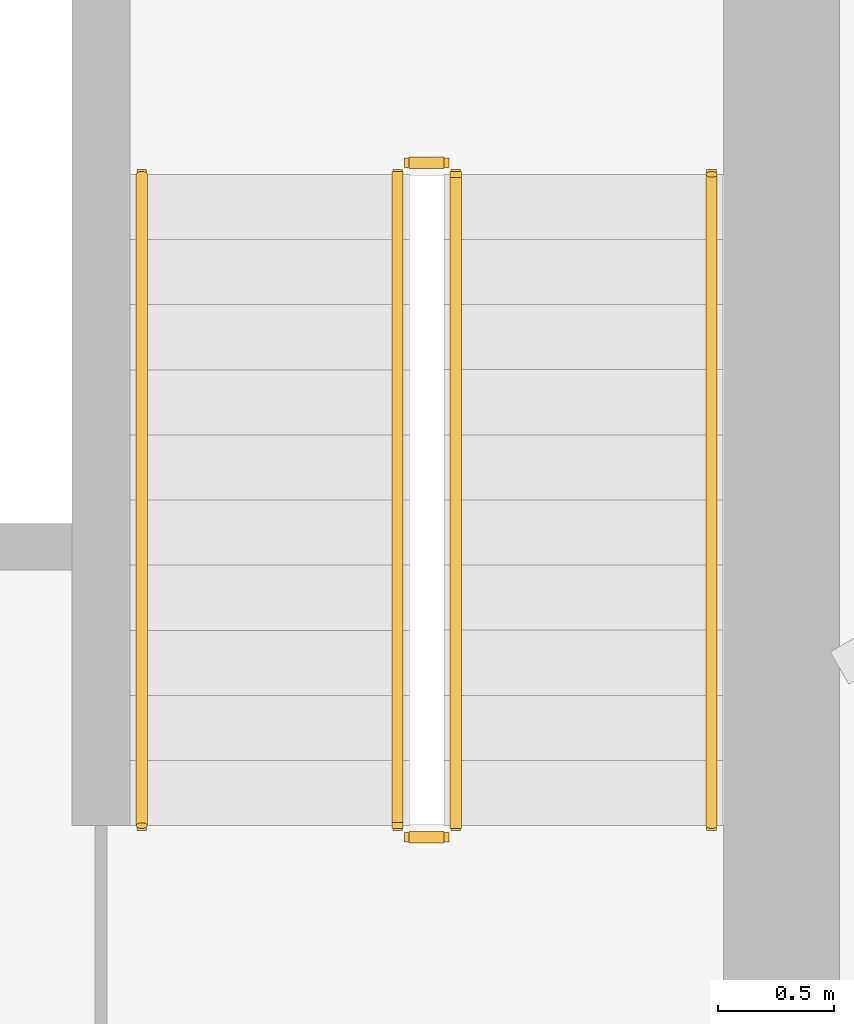
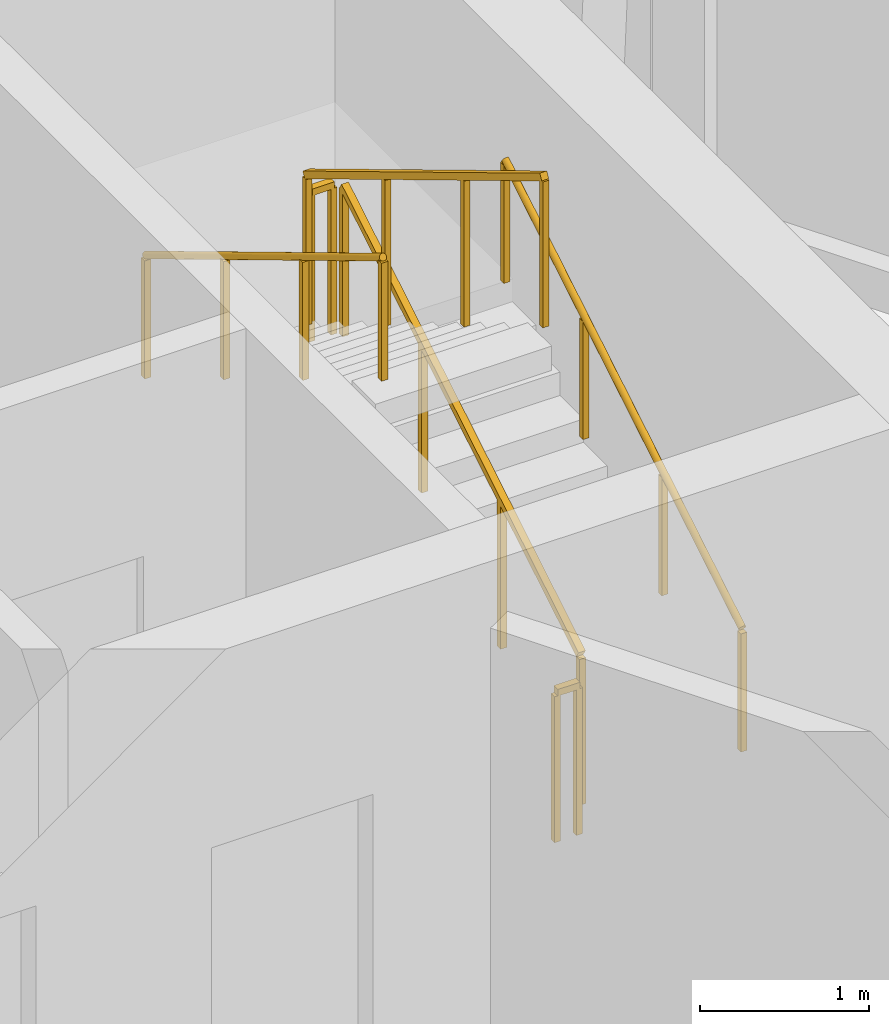
# One storey, part 13 of 13: 6 railings.
"""IFC4 building model written with IfcOpenShell, lengths in metres."""

from ifc_helpers import new_model, si_unit, direction, frame, origin, origin_2d, place, context, subcontext, project, spatial, rectangle, circle, extrude, material, type_object, element, save


model = new_model("IFC4")

# Units and contexts
model_context = context("Model", 3, precision=1e-05, world=origin(), true_north=direction((0.0, 1.0)))
body_context = subcontext(model_context, "Body", "Model", "MODEL_VIEW")
ifc_project = project(units=[si_unit("LENGTHUNIT", "METRE"), si_unit("AREAUNIT", "SQUARE_METRE"), si_unit("VOLUMEUNIT", "CUBIC_METRE"), si_unit("PLANEANGLEUNIT", "RADIAN"), si_unit("MASSUNIT", "GRAM", prefix="KILO")], contexts=[model_context])

# Site, building, storey
site_placement = place(None, origin())
site = spatial("IfcSite", under=ifc_project, at=site_placement, CompositionType="ELEMENT")
building_placement = place(site_placement, origin())
building = spatial("IfcBuilding", under=site, at=building_placement, Name="Apuvela Tower Hotel", CompositionType="ELEMENT")
storey_placement = place(building_placement, frame((0.0, 0.0, 298.5)))
storey = spatial("IfcBuildingStorey", under=building, at=storey_placement, Name="L74", CompositionType="ELEMENT", Elevation=298.5)

# Railings
ifc_material_1 = material(Name="Steel S275 balustrade", Category="steel")
railing_type_1 = type_object("IfcRailingType", Name="COR-GUARD-1100", PredefinedType="GUARDRAIL", material=ifc_material_1)
railing_1_placement = place(storey_placement, frame((3.85009765625, 14.60009765625, 0.168212890625)))
element("IfcRailing", 1, at=railing_1_placement, inside=storey, type_object=railing_type_1, Name="L74 ST1 stair guard 1", PredefinedType="GUARDRAIL", context=body_context, shape_type="SweptSolid", body=[
    extrude(rectangle(XDim=0.048095703125, YDim=0.048095703125, at=origin_2d()), frame((0.0, 0.0, 1.076171875), z_axis=(0.0, 0.857222391501, 0.514946377315), x_axis=(-1.0, 0.0, 0.0)), (0.0, 0.0, 1.0), 3.26611328125),
    extrude(rectangle(XDim=0.0419921875, YDim=0.0419921875, at=origin_2d()), origin(), (0.0, 0.0, 1.0), 1.052001953125),
    extrude(rectangle(XDim=0.0419921875, YDim=0.0419921875, at=origin_2d()), frame((0.0, 0.933349609375, 0.560546875)), (0.0, 0.0, 1.0), 1.052001953125),
    extrude(rectangle(XDim=0.0419921875, YDim=0.0419921875, at=origin_2d()), frame((0.0, 1.866455078125, 1.121337890625)), (0.0, 0.0, 1.0), 1.052001953125),
    extrude(rectangle(XDim=0.0419921875, YDim=0.0419921875, at=origin_2d()), frame((0.0, 2.7998046875, 1.681884765625)), (0.0, 0.0, 1.0), 1.052001953125),
])
railing_2_placement = place(storey_placement, frame((3.800048828125, 17.449951171875, 1.85009765625)))
element("IfcRailing", 2, at=railing_2_placement, inside=storey, type_object=railing_type_1, Name="L74 ST1 stair guard 2", PredefinedType="GUARDRAIL", context=body_context, shape_type="SweptSolid", body=[
    extrude(rectangle(XDim=0.048095703125, YDim=0.048095703125, at=origin_2d()), frame((0.0, 0.0, 1.076171875), z_axis=(-1.0, 0.0, 0.0), x_axis=(0.0, -1.0, 0.0)), (0.0, 0.0, 1.0), 0.150146484375),
    extrude(rectangle(XDim=0.0419921875, YDim=0.0419921875, at=origin_2d()), origin(), (0.0, 0.0, 1.0), 1.052001953125),
    extrude(rectangle(XDim=0.0419921875, YDim=0.0419921875, at=origin_2d()), frame((-0.150146484375, 0.0, 0.0)), (0.0, 0.0, 1.0), 1.052001953125),
])
railing_3_placement = place(storey_placement, frame((3.60009765625, 17.39990234375, 2.01806640625)))
element("IfcRailing", 3, at=railing_3_placement, inside=storey, type_object=railing_type_1, Name="L74 ST1 stair guard 3", PredefinedType="GUARDRAIL", context=body_context, shape_type="SweptSolid", body=[
    extrude(rectangle(XDim=0.048095703125, YDim=0.048095703125, at=origin_2d()), frame((0.0, 0.0, 1.076171875), z_axis=(0.0, -0.857222391501, 0.514946377315), x_axis=(1.0, 0.0, 0.0)), (0.0, 0.0, 1.0), 3.26611328125),
    extrude(rectangle(XDim=0.0419921875, YDim=0.0419921875, at=origin_2d()), origin(), (0.0, 0.0, 1.0), 1.052001953125),
    extrude(rectangle(XDim=0.0419921875, YDim=0.0419921875, at=origin_2d()), frame((0.0, -0.933349609375, 0.560546875)), (0.0, 0.0, 1.0), 1.052001953125),
    extrude(rectangle(XDim=0.0419921875, YDim=0.0419921875, at=origin_2d()), frame((0.0, -1.866455078125, 1.121337890625)), (0.0, 0.0, 1.0), 1.052001953125),
    extrude(rectangle(XDim=0.0419921875, YDim=0.0419921875, at=origin_2d()), frame((0.0, -2.7998046875, 1.681884765625)), (0.0, 0.0, 1.0), 1.052001953125),
])
railing_4_placement = place(storey_placement, frame((3.800048828125, 14.550048828125, 0.0)))
element("IfcRailing", 4, at=railing_4_placement, inside=storey, type_object=railing_type_1, Name="L74 ST1 stair guard 4", PredefinedType="GUARDRAIL", context=body_context, shape_type="SweptSolid", body=[
    extrude(rectangle(XDim=0.048095703125, YDim=0.048095703125, at=origin_2d()), frame((0.0, 0.0, 1.076171875), z_axis=(-1.0, 0.0, 0.0), x_axis=(0.0, -1.0, 0.0)), (0.0, 0.0, 1.0), 0.150146484375),
    extrude(rectangle(XDim=0.0419921875, YDim=0.0419921875, at=origin_2d()), origin(), (0.0, 0.0, 1.0), 1.052001953125),
    extrude(rectangle(XDim=0.0419921875, YDim=0.0419921875, at=origin_2d()), frame((-0.150146484375, 0.0, 0.0)), (0.0, 0.0, 1.0), 1.052001953125),
])
ifc_material_2 = material(Name="Stainless steel 316 handrail", Category="steel")
railing_type_2 = type_object("IfcRailingType", Name="COR-HANDRAIL-900", PredefinedType="HANDRAIL", material=ifc_material_2)
railing_5_placement = place(storey_placement, frame((4.949951171875, 14.60009765625, 0.168212890625)))
element("IfcRailing", 5, at=railing_5_placement, inside=storey, type_object=railing_type_2, Name="L74 ST1 stair handrail 1", PredefinedType="HANDRAIL", context=body_context, shape_type="SweptSolid", body=[
    extrude(circle(Radius=0.02392578125, at=origin_2d()), frame((0.0, 0.0, 0.8759765625), z_axis=(0.0, 0.857222391501, 0.514946377315), x_axis=(-1.0, 0.0, 0.0)), (0.0, 0.0, 1.0), 3.26611328125),
    extrude(rectangle(XDim=0.0419921875, YDim=0.0419921875, at=origin_2d()), origin(), (0.0, 0.0, 1.0), 0.851806640625),
    extrude(rectangle(XDim=0.0419921875, YDim=0.0419921875, at=origin_2d()), frame((0.0, 0.933349609375, 0.560546875)), (0.0, 0.0, 1.0), 0.851806640625),
    extrude(rectangle(XDim=0.0419921875, YDim=0.0419921875, at=origin_2d()), frame((0.0, 1.866455078125, 1.121337890625)), (0.0, 0.0, 1.0), 0.851806640625),
    extrude(rectangle(XDim=0.0419921875, YDim=0.0419921875, at=origin_2d()), frame((0.0, 2.7998046875, 1.681884765625)), (0.0, 0.0, 1.0), 0.851806640625),
])
railing_6_placement = place(storey_placement, frame((2.5, 17.39990234375, 2.01806640625)))
element("IfcRailing", 6, at=railing_6_placement, inside=storey, type_object=railing_type_2, Name="L74 ST1 stair handrail 2", PredefinedType="HANDRAIL", context=body_context, shape_type="SweptSolid", body=[
    extrude(circle(Radius=0.02392578125, at=origin_2d()), frame((0.0, 0.0, 0.8759765625), z_axis=(0.0, -0.857222391501, 0.514946377315), x_axis=(1.0, 0.0, 0.0)), (0.0, 0.0, 1.0), 3.26611328125),
    extrude(rectangle(XDim=0.0419921875, YDim=0.0419921875, at=origin_2d()), origin(), (0.0, 0.0, 1.0), 0.851806640625),
    extrude(rectangle(XDim=0.0419921875, YDim=0.0419921875, at=origin_2d()), frame((0.0, -0.933349609375, 0.560546875)), (0.0, 0.0, 1.0), 0.851806640625),
    extrude(rectangle(XDim=0.0419921875, YDim=0.0419921875, at=origin_2d()), frame((0.0, -1.866455078125, 1.121337890625)), (0.0, 0.0, 1.0), 0.851806640625),
    extrude(rectangle(XDim=0.0419921875, YDim=0.0419921875, at=origin_2d()), frame((0.0, -2.7998046875, 1.681884765625)), (0.0, 0.0, 1.0), 0.851806640625),
])

save(model, "model.ifc")
